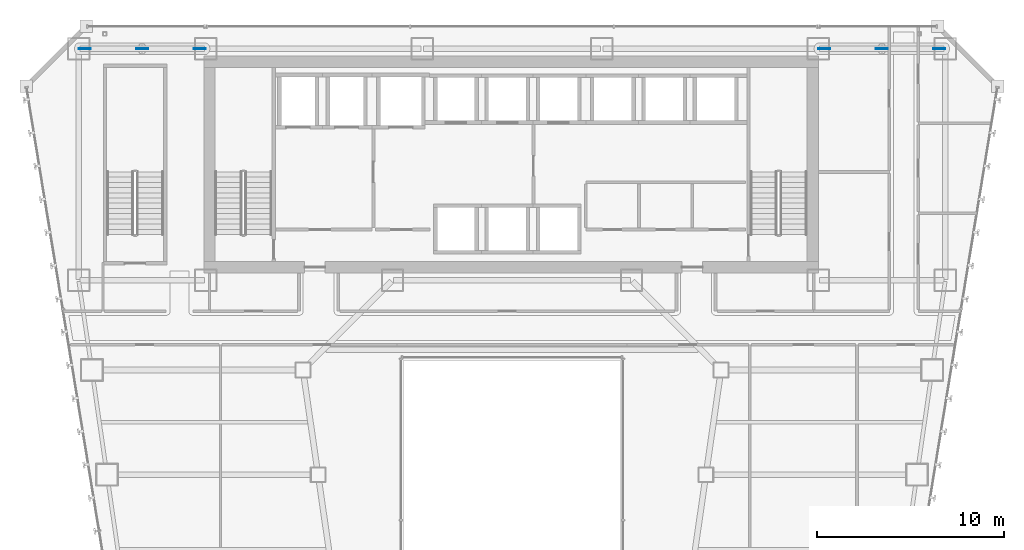
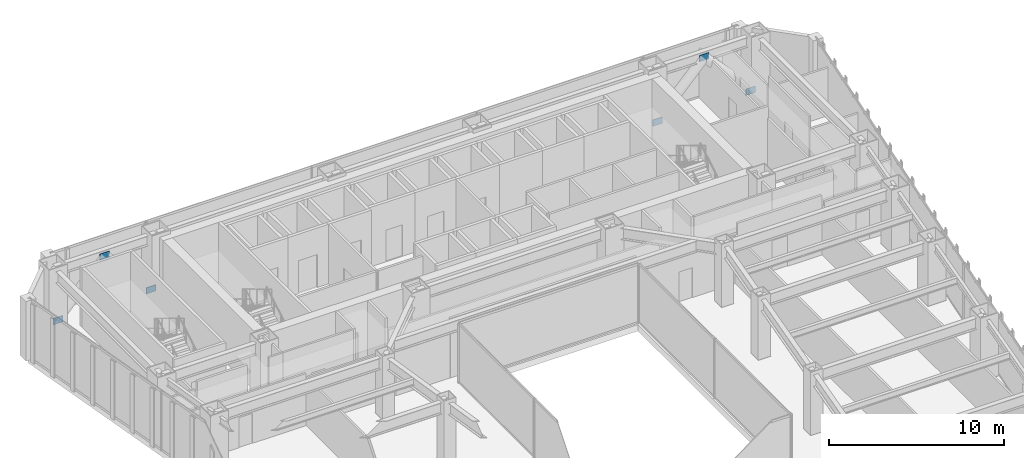
# One storey, part 35 of 49: 6 plates.
"""IFC4 building model written with IfcOpenShell, lengths in metres."""

from ifc_helpers import new_model, si_unit, direction, frame, origin, origin_2d, place, context, subcontext, project, spatial, rectangle, extrude, material, layer, layer_set, type_object, element, save


model = new_model("IFC4")

# Units and contexts
model_context = context("Model", 3, precision=1e-05, world=origin(), true_north=direction((0.0, 1.0)))
body_context = subcontext(model_context, "Body", "Model", "MODEL_VIEW")
ifc_project = project(units=[si_unit("LENGTHUNIT", "METRE"), si_unit("AREAUNIT", "SQUARE_METRE"), si_unit("VOLUMEUNIT", "CUBIC_METRE"), si_unit("PLANEANGLEUNIT", "RADIAN"), si_unit("MASSUNIT", "GRAM", prefix="KILO")], contexts=[model_context])

# Site, building, storey
site_placement = place(None, origin())
site = spatial("IfcSite", under=ifc_project, at=site_placement, CompositionType="ELEMENT")
building_placement = place(site_placement, origin())
building = spatial("IfcBuilding", under=site, at=building_placement, Name="Saevonmaru Cultural Tower", CompositionType="ELEMENT")
storey_placement = place(building_placement, frame((0.0, 0.0, 38.39990234375)))
storey = spatial("IfcBuildingStorey", under=building, at=storey_placement, Name="L07", CompositionType="ELEMENT", Elevation=38.39990234375)

# Plates
ifc_material = material(Name="Steel HSA600 (600 MPa)", Category="steel")
ifc_layer = layer(ifc_material, 0.0400390625, Name="Steel HSA600 (600 MPa)")
ifc_layer_set = layer_set([ifc_layer], Name="Steel HSA600 (600 MPa)")
plate_type = type_object("IfcPlateType", Name="PL-GUSSET-EXT", PredefinedType="USERDEFINED", material=ifc_layer_set)
for number, where, z_axis, x_axis, name in (
    (1, (10.199951171875, 54.800048828125, 3.4501953125), (0.0, 0.0, 1.0), (1.0, 0.0, 0.0), "L07 Perimeter Tube Gusset Plate"),
    (2, (7.1201171875, 54.800048828125, 0.02001953125), (0.0, 0.0, 1.0), (1.0, 0.0, 0.0), "L07 Perimeter Tube Gusset Plate"),
    (3, (13.280029296875, 54.800048828125, 0.02001953125), (0.0, 0.0, 1.0), (1.0, 0.0, 0.0), "L07 Perimeter Tube Gusset Plate"),
    (4, (49.800048828125, 54.800048828125, 3.4501953125), (0.0, 0.0, 1.0), (1.0, 0.0, 0.0), "L07 Perimeter Tube Gusset Plate"),
    (5, (46.719970703125, 54.800048828125, 0.02001953125), (0.0, 0.0, 1.0), (1.0, 0.0, 0.0), "L07 Perimeter Tube Gusset Plate"),
    (6, (52.8798828125, 54.800048828125, 0.02001953125), (0.0, 0.0, 1.0), (1.0, 0.0, 0.0), "L07 Perimeter Tube Gusset Plate"),
):
    element("IfcPlate", number, at=place(storey_placement, frame(where, z_axis=z_axis, x_axis=x_axis)), inside=storey, type_object=plate_type, Name=name, ObjectType="GUSSET_PLATE", PredefinedType="USERDEFINED", context=body_context, shape_type="SweptSolid", body=[
        extrude(rectangle(XDim=0.639892578125, YDim=0.0400390625, at=origin_2d()), origin(), (0.0, 0.0, 1.0), 0.43994140625),
    ])

save(model, "model.ifc")
